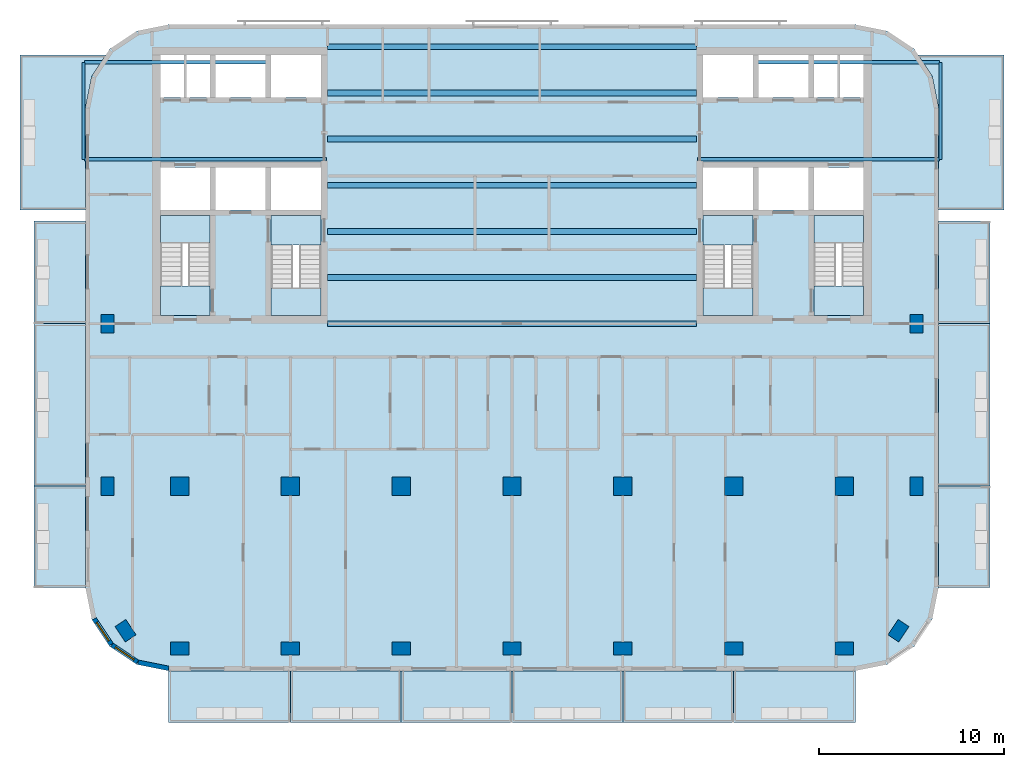
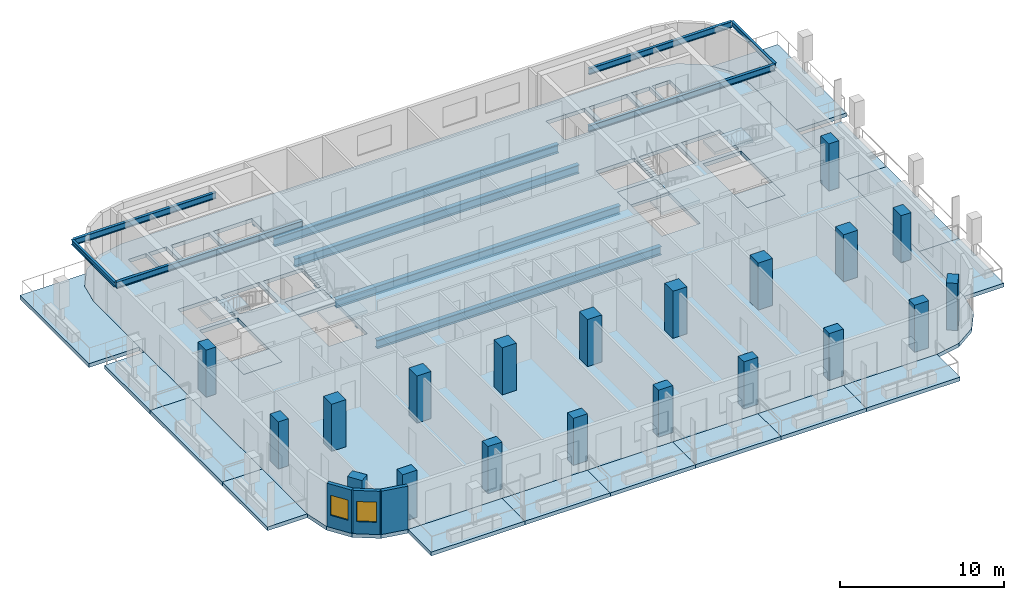
# One storey, part 1 of 11: 23 slabs, 20 columns, 13 beams, 3 walls, 2 windows, 2 openings, 4 elements without a shape of their own.
"""IFC4 building model written with IfcOpenShell, lengths in metres."""

from ifc_helpers import new_model, si_unit, direction, frame, frame_2d, origin, origin_2d, place, context, subcontext, project, spatial, polyline, rectangle, i_section, outline, extrude, material, layer, layer_set, material_profile, profile_set, type_object, element, fill, aggregate, save


model = new_model("IFC4")

# Units and contexts
model_context = context("Model", 3, precision=1e-05, world=origin(), true_north=direction((0.0, 1.0)))
body_context = subcontext(model_context, "Body", "Model", "MODEL_VIEW")
ifc_project = project(units=[si_unit("LENGTHUNIT", "METRE"), si_unit("AREAUNIT", "SQUARE_METRE"), si_unit("VOLUMEUNIT", "CUBIC_METRE"), si_unit("PLANEANGLEUNIT", "RADIAN"), si_unit("MASSUNIT", "GRAM", prefix="KILO")], contexts=[model_context])

# Site, building, storey
site_placement = place(None, origin())
site = spatial("IfcSite", under=ifc_project, at=site_placement, CompositionType="ELEMENT")
building_placement = place(site_placement, origin())
building = spatial("IfcBuilding", under=site, at=building_placement, Name="Torana Hotel and Residences", CompositionType="ELEMENT")
storey_placement = place(building_placement, frame((0.0, 0.0, 284.10009765625)))
storey = spatial("IfcBuildingStorey", under=building, at=storey_placement, Name="L75", CompositionType="ELEMENT", Elevation=284.10009765625)

# Columns
ifc_material_1 = material(Name="Concrete C50/60", Category="concrete")
ifc_material_profile_1 = material_profile(ifc_material_1, rectangle(XDim=1.0, YDim=1.0, at=origin_2d()), Name="RC 1000x1000")
ifc_profile_set_1 = profile_set([ifc_material_profile_1], Name="Concrete C50/60")
column_type_1 = type_object("IfcColumnType", Name="COLUMN RC 1000x1000 C50/60", PredefinedType="COLUMN", material=ifc_profile_set_1)
for number, where, z_axis, x_axis, name in (
    (1, (-18.0, -23.800048828125, 0.0), (0.0, 0.0, 1.0), (1.0, 0.0, 0.0), "Column L75"),
    (2, (-12.0, -23.800048828125, 0.0), (0.0, 0.0, 1.0), (1.0, 0.0, 0.0), "Column L75"),
    (3, (-6.0, -23.800048828125, 0.0), (0.0, 0.0, 1.0), (1.0, 0.0, 0.0), "Column L75"),
    (4, (0.0, -23.800048828125, 0.0), (0.0, 0.0, 1.0), (1.0, 0.0, 0.0), "Column L75"),
    (5, (6.0, -23.800048828125, 0.0), (0.0, 0.0, 1.0), (1.0, 0.0, 0.0), "Column L75"),
    (6, (12.0, -23.800048828125, 0.0), (0.0, 0.0, 1.0), (1.0, 0.0, 0.0), "Column L75"),
    (7, (18.0, -23.800048828125, 0.0), (0.0, 0.0, 1.0), (1.0, 0.0, 0.0), "Column L75"),
):
    element("IfcColumn", number, at=place(storey_placement, frame(where, z_axis=z_axis, x_axis=x_axis)), inside=storey, type_object=column_type_1, Name=name, PredefinedType="COLUMN", context=body_context, shape_type="SweptSolid", body=[
        extrude(rectangle(XDim=1.0, YDim=1.0, at=origin_2d()), origin(), (0.0, 0.0, 1.0), 3.5),
    ])
ifc_material_2 = material(Name="Concrete C50/60", Category="concrete")
ifc_material_profile_2 = material_profile(ifc_material_2, rectangle(XDim=1.0, YDim=0.699951171875, at=origin_2d()), Name="RC 1000x700")
ifc_profile_set_2 = profile_set([ifc_material_profile_2], Name="Concrete C50/60")
column_type_2 = type_object("IfcColumnType", Name="COLUMN RC 1000x700 C50/60", PredefinedType="COLUMN", material=ifc_profile_set_2)
for number, where, z_axis, x_axis, name in (
    (8, (-21.89990234375, -23.800048828125, 0.0), (0.0, 0.0, 1.0), (0.0, 1.0, 0.0), "Column L75"),
    (9, (-21.89990234375, -15.0, 0.0), (0.0, 0.0, 1.0), (0.0, 1.0, 0.0), "Column L75"),
    (10, (-20.93310546875, -31.633056640625, 0.0), (0.0, 0.0, 1.0), (-0.555584744817, 0.831459915646, 0.0), "Column L75"),
    (11, (-18.0, -32.60009765625, 0.0), (0.0, 0.0, 1.0), (1.0, 0.0, 0.0), "Column L75"),
    (12, (-12.0, -32.60009765625, 0.0), (0.0, 0.0, 1.0), (1.0, 0.0, 0.0), "Column L75"),
    (13, (-6.0, -32.60009765625, 0.0), (0.0, 0.0, 1.0), (1.0, 0.0, 0.0), "Column L75"),
    (14, (0.0, -32.60009765625, 0.0), (0.0, 0.0, 1.0), (1.0, 0.0, 0.0), "Column L75"),
    (15, (6.0, -32.60009765625, 0.0), (0.0, 0.0, 1.0), (1.0, 0.0, 0.0), "Column L75"),
    (16, (12.0, -32.60009765625, 0.0), (0.0, 0.0, 1.0), (1.0, 0.0, 0.0), "Column L75"),
    (17, (18.0, -32.60009765625, 0.0), (0.0, 0.0, 1.0), (1.0, 0.0, 0.0), "Column L75"),
    (18, (20.93310546875, -31.633056640625, 0.0), (0.0, 0.0, 1.0), (0.555584744817, 0.831459915646, 0.0), "Column L75"),
    (19, (21.89990234375, -23.800048828125, 0.0), (0.0, 0.0, 1.0), (0.0, 1.0, 0.0), "Column L75"),
    (20, (21.89990234375, -15.0, 0.0), (0.0, 0.0, 1.0), (0.0, 1.0, 0.0), "Column L75"),
):
    element("IfcColumn", number, at=place(storey_placement, frame(where, z_axis=z_axis, x_axis=x_axis)), inside=storey, type_object=column_type_2, Name=name, PredefinedType="COLUMN", context=body_context, shape_type="SweptSolid", body=[
        extrude(rectangle(XDim=1.0, YDim=0.699951171875, at=origin_2d()), origin(), (0.0, 0.0, 1.0), 3.5),
    ])

# Beams
ifc_material_3 = material(Name="Steel S355", Category="steel")
ifc_material_profile_3 = material_profile(ifc_material_3, i_section(OverallWidth=0.19287109375, OverallDepth=0.46728515625, WebThickness=0.011474609375, FlangeThickness=0.01953125, FilletRadius=0.01025390625, at=origin_2d()), Name="457x191x98 UB")
ifc_profile_set_3 = profile_set([ifc_material_profile_3], Name="Steel S355")
beam_type_1 = type_object("IfcBeamType", Name="BALCONY CANTILEVER BEAM 457x191x98 UB", PredefinedType="BEAM", material=ifc_profile_set_3)
beam_1_placement = place(storey_placement, frame((-23.1484375, -6.10009765625, 2.986328125), z_axis=(1.0, 0.0, 0.0), x_axis=(0.0, 1.0, 0.0)))
element("IfcBeam", 21, at=beam_1_placement, inside=storey, type_object=beam_type_1, Name="Balcony cantilever beam", PredefinedType="BEAM", context=body_context, shape_type="SweptSolid", body=[
    extrude(i_section(OverallWidth=0.19287109375, OverallDepth=0.46728515625, WebThickness=0.011474609375, FlangeThickness=0.01953125, FilletRadius=0.01025390625, at=origin_2d()), origin(), (0.0, 0.0, 1.0), 13.098388671875),
])
beam_2_placement = place(storey_placement, frame((-23.1484375, -0.85009765625, 2.986328125), z_axis=(1.0, 0.0, 0.0), x_axis=(0.0, 1.0, 0.0)))
element("IfcBeam", 22, at=beam_2_placement, inside=storey, type_object=beam_type_1, Name="Balcony cantilever beam", PredefinedType="BEAM", context=body_context, shape_type="SweptSolid", body=[
    extrude(i_section(OverallWidth=0.19287109375, OverallDepth=0.46728515625, WebThickness=0.011474609375, FlangeThickness=0.01953125, FilletRadius=0.01025390625, at=origin_2d()), origin(), (0.0, 0.0, 1.0), 10.04833984375),
])
beam_3_placement = place(storey_placement, frame((23.1484375, -6.10009765625, 2.986328125), z_axis=(-1.0, 0.0, 0.0), x_axis=(0.0, -1.0, 0.0)))
element("IfcBeam", 23, at=beam_3_placement, inside=storey, type_object=beam_type_1, Name="Balcony cantilever beam", PredefinedType="BEAM", context=body_context, shape_type="SweptSolid", body=[
    extrude(i_section(OverallWidth=0.19287109375, OverallDepth=0.46728515625, WebThickness=0.011474609375, FlangeThickness=0.01953125, FilletRadius=0.01025390625, at=origin_2d()), origin(), (0.0, 0.0, 1.0), 13.098388671875),
])
beam_4_placement = place(storey_placement, frame((23.1484375, -0.85009765625, 2.986328125), z_axis=(-1.0, 0.0, 0.0), x_axis=(0.0, -1.0, 0.0)))
element("IfcBeam", 24, at=beam_4_placement, inside=storey, type_object=beam_type_1, Name="Balcony cantilever beam", PredefinedType="BEAM", context=body_context, shape_type="SweptSolid", body=[
    extrude(i_section(OverallWidth=0.19287109375, OverallDepth=0.46728515625, WebThickness=0.011474609375, FlangeThickness=0.01953125, FilletRadius=0.01025390625, at=origin_2d()), origin(), (0.0, 0.0, 1.0), 10.04833984375),
])
ifc_material_4 = material(Name="Steel S355", Category="steel")
ifc_material_profile_4 = material_profile(ifc_material_4, i_section(OverallWidth=0.173095703125, OverallDepth=0.36328125, WebThickness=0.009033203125, FlangeThickness=0.015625, FilletRadius=0.01025390625, at=origin_2d()), Name="356x171x67 UB")
ifc_profile_set_4 = profile_set([ifc_material_profile_4], Name="Steel S355")
beam_type_2 = type_object("IfcBeamType", Name="BALCONY TIP BEAM 356x171x67 UB", PredefinedType="BEAM", material=ifc_profile_set_4)
for number, where, z_axis, x_axis, name in (
    (25, (-23.205078125, -6.10009765625, 3.0380859375), (0.0, 1.0, 0.0), (-1.0, 0.0, 0.0), "Balcony tip beam"),
    (26, (23.205078125, -6.10009765625, 3.0380859375), (0.0, 1.0, 0.0), (-1.0, 0.0, 0.0), "Balcony tip beam"),
):
    element("IfcBeam", number, at=place(storey_placement, frame(where, z_axis=z_axis, x_axis=x_axis)), inside=storey, type_object=beam_type_2, Name=name, PredefinedType="BEAM", context=body_context, shape_type="SweptSolid", body=[
        extrude(i_section(OverallWidth=0.173095703125, OverallDepth=0.36328125, WebThickness=0.009033203125, FlangeThickness=0.015625, FilletRadius=0.01025390625, at=origin_2d()), origin(), (0.0, 0.0, 1.0), 5.25),
    ])
ifc_material_5 = material(Name="Steel S355", Category="steel")
ifc_material_profile_5 = material_profile(ifc_material_5, i_section(OverallWidth=0.311279296875, OverallDepth=0.6357421875, WebThickness=0.018310546875, FlangeThickness=0.031494140625, FilletRadius=0.0166015625, at=origin_2d()), Name="610x305x238 UB")
ifc_profile_set_5 = profile_set([ifc_material_profile_5], Name="Steel S355")
beam_type_3 = type_object("IfcBeamType", Name="STEEL GIRDER 610x305x238 UB", PredefinedType="BEAM", material=ifc_profile_set_5)
for number, where, z_axis, x_axis, name in (
    (27, (-10.0, -15.0, -0.597900390625), (1.0, 0.0, 0.0), (0.0, 1.0, 0.0), "Floor girder"),
    (28, (-10.0, -12.5, -0.597900390625), (1.0, 0.0, 0.0), (0.0, 1.0, 0.0), "Floor girder"),
    (29, (-10.0, -10.0, -0.597900390625), (1.0, 0.0, 0.0), (0.0, 1.0, 0.0), "Floor girder"),
    (30, (-10.0, -7.5, -0.597900390625), (1.0, 0.0, 0.0), (0.0, 1.0, 0.0), "Floor girder"),
    (31, (-10.0, -5.0, -0.597900390625), (1.0, 0.0, 0.0), (0.0, 1.0, 0.0), "Floor girder"),
    (32, (-10.0, -2.5, -0.597900390625), (1.0, 0.0, 0.0), (0.0, 1.0, 0.0), "Floor girder"),
    (33, (-10.0, 0.0, -0.597900390625), (1.0, 0.0, 0.0), (0.0, 1.0, 0.0), "Floor girder"),
):
    element("IfcBeam", number, at=place(storey_placement, frame(where, z_axis=z_axis, x_axis=x_axis)), inside=storey, type_object=beam_type_3, Name=name, PredefinedType="BEAM", context=body_context, shape_type="SweptSolid", body=[
        extrude(i_section(OverallWidth=0.311279296875, OverallDepth=0.6357421875, WebThickness=0.018310546875, FlangeThickness=0.031494140625, FilletRadius=0.0166015625, at=origin_2d()), origin(), (0.0, 0.0, 1.0), 20.0),
    ])

# Slabs
ifc_material_6 = material(Name="Concrete C40/50", Category="concrete")
ifc_layer_1 = layer(ifc_material_6, 0.280029296875)
ifc_layer_set_1 = layer_set([ifc_layer_1], Name="BAL1 BALCONY SLAB 280")
slab_type_1 = type_object("IfcSlabType", Name="BAL1 BALCONY SLAB 280", PredefinedType="USERDEFINED", material=ifc_layer_set_1)
slab_1_placement = place(storey_placement, frame((0.0, 0.0, -0.280029296875)))
element("IfcSlab", 34, at=slab_1_placement, inside=storey, type_object=slab_type_1, Name="Balcony 01", ObjectType="BALCONY", PredefinedType="USERDEFINED", context=body_context, shape_type="SweptSolid", body=[
    extrude(outline(polyline([(-18.60009765625, -36.60009765625), (-12.0, -36.60009765625), (-12.0, -33.800048828125), (-18.60009765625, -33.800048828125), (-18.60009765625, -36.60009765625)])), origin(), (0.0, 0.0, 1.0), 0.280029296875),
])
slab_2_placement = place(storey_placement, frame((0.0, 0.0, -0.280029296875)))
element("IfcSlab", 35, at=slab_2_placement, inside=storey, type_object=slab_type_1, Name="Balcony 02", ObjectType="BALCONY", PredefinedType="USERDEFINED", context=body_context, shape_type="SweptSolid", body=[
    extrude(outline(polyline([(-12.0, -36.60009765625), (-6.0, -36.60009765625), (-6.0, -33.800048828125), (-12.0, -33.800048828125), (-12.0, -36.60009765625)])), origin(), (0.0, 0.0, 1.0), 0.280029296875),
])
slab_3_placement = place(storey_placement, frame((0.0, 0.0, -0.280029296875)))
element("IfcSlab", 36, at=slab_3_placement, inside=storey, type_object=slab_type_1, Name="Balcony 03", ObjectType="BALCONY", PredefinedType="USERDEFINED", context=body_context, shape_type="SweptSolid", body=[
    extrude(outline(polyline([(-6.0, -36.60009765625), (0.0, -36.60009765625), (0.0, -33.800048828125), (-6.0, -33.800048828125), (-6.0, -36.60009765625)])), origin(), (0.0, 0.0, 1.0), 0.280029296875),
])
slab_4_placement = place(storey_placement, frame((0.0, 0.0, -0.280029296875)))
element("IfcSlab", 37, at=slab_4_placement, inside=storey, type_object=slab_type_1, Name="Balcony 04", ObjectType="BALCONY", PredefinedType="USERDEFINED", context=body_context, shape_type="SweptSolid", body=[
    extrude(outline(polyline([(0.0, -36.60009765625), (6.0, -36.60009765625), (6.0, -33.800048828125), (0.0, -33.800048828125), (0.0, -36.60009765625)])), origin(), (0.0, 0.0, 1.0), 0.280029296875),
])
slab_5_placement = place(storey_placement, frame((0.0, 0.0, -0.280029296875)))
element("IfcSlab", 38, at=slab_5_placement, inside=storey, type_object=slab_type_1, Name="Balcony 05", ObjectType="BALCONY", PredefinedType="USERDEFINED", context=body_context, shape_type="SweptSolid", body=[
    extrude(outline(polyline([(6.0, -36.60009765625), (12.0, -36.60009765625), (12.0, -33.800048828125), (6.0, -33.800048828125), (6.0, -36.60009765625)])), origin(), (0.0, 0.0, 1.0), 0.280029296875),
])
slab_6_placement = place(storey_placement, frame((0.0, 0.0, -0.280029296875)))
element("IfcSlab", 39, at=slab_6_placement, inside=storey, type_object=slab_type_1, Name="Balcony 06", ObjectType="BALCONY", PredefinedType="USERDEFINED", context=body_context, shape_type="SweptSolid", body=[
    extrude(outline(polyline([(12.0, -36.60009765625), (18.60009765625, -36.60009765625), (18.60009765625, -33.800048828125), (12.0, -33.800048828125), (12.0, -36.60009765625)])), origin(), (0.0, 0.0, 1.0), 0.280029296875),
])
slab_7_placement = place(storey_placement, frame((0.0, 0.0, -0.280029296875)))
element("IfcSlab", 40, at=slab_7_placement, inside=storey, type_object=slab_type_1, Name="Balcony 07", ObjectType="BALCONY", PredefinedType="USERDEFINED", context=body_context, shape_type="SweptSolid", body=[
    extrude(outline(polyline([(-25.89990234375, -29.300048828125), (-23.10009765625, -29.300048828125), (-23.10009765625, -23.800048828125), (-25.89990234375, -23.800048828125), (-25.89990234375, -29.300048828125)])), origin(), (0.0, 0.0, 1.0), 0.280029296875),
])
slab_8_placement = place(storey_placement, frame((0.0, 0.0, -0.280029296875)))
element("IfcSlab", 41, at=slab_8_placement, inside=storey, type_object=slab_type_1, Name="Balcony 08", ObjectType="BALCONY", PredefinedType="USERDEFINED", context=body_context, shape_type="SweptSolid", body=[
    extrude(outline(polyline([(-25.89990234375, -23.800048828125), (-23.10009765625, -23.800048828125), (-23.10009765625, -15.0), (-25.89990234375, -15.0), (-25.89990234375, -23.800048828125)])), origin(), (0.0, 0.0, 1.0), 0.280029296875),
])
slab_9_placement = place(storey_placement, frame((0.0, 0.0, -0.280029296875)))
element("IfcSlab", 42, at=slab_9_placement, inside=storey, type_object=slab_type_1, Name="Balcony 09", ObjectType="BALCONY", PredefinedType="USERDEFINED", context=body_context, shape_type="SweptSolid", body=[
    extrude(outline(polyline([(-25.89990234375, -15.0), (-23.10009765625, -15.0), (-23.10009765625, -9.449951171875), (-25.89990234375, -9.449951171875), (-25.89990234375, -15.0)])), origin(), (0.0, 0.0, 1.0), 0.280029296875),
])
slab_10_placement = place(storey_placement, frame((0.0, 0.0, -0.280029296875)))
element("IfcSlab", 43, at=slab_10_placement, inside=storey, type_object=slab_type_1, Name="Balcony 10", ObjectType="BALCONY", PredefinedType="USERDEFINED", context=body_context, shape_type="SweptSolid", body=[
    extrude(outline(polyline([(-26.64990234375, -8.85009765625), (-23.10009765625, -8.85009765625), (-23.10009765625, -3.300048828125), (-22.757568359375, -1.577880859375), (-22.00390625, -0.449951171875), (-26.64990234375, -0.449951171875), (-26.64990234375, -8.85009765625)])), origin(), (0.0, 0.0, 1.0), 0.280029296875),
])
slab_11_placement = place(storey_placement, frame((0.0, 0.0, -0.280029296875)))
element("IfcSlab", 44, at=slab_11_placement, inside=storey, type_object=slab_type_1, Name="Balcony 11", ObjectType="BALCONY", PredefinedType="USERDEFINED", context=body_context, shape_type="SweptSolid", body=[
    extrude(outline(polyline([(23.10009765625, -29.300048828125), (25.89990234375, -29.300048828125), (25.89990234375, -23.800048828125), (23.10009765625, -23.800048828125), (23.10009765625, -29.300048828125)])), origin(), (0.0, 0.0, 1.0), 0.280029296875),
])
slab_12_placement = place(storey_placement, frame((0.0, 0.0, -0.280029296875)))
element("IfcSlab", 45, at=slab_12_placement, inside=storey, type_object=slab_type_1, Name="Balcony 12", ObjectType="BALCONY", PredefinedType="USERDEFINED", context=body_context, shape_type="SweptSolid", body=[
    extrude(outline(polyline([(23.10009765625, -23.800048828125), (25.89990234375, -23.800048828125), (25.89990234375, -15.0), (23.10009765625, -15.0), (23.10009765625, -23.800048828125)])), origin(), (0.0, 0.0, 1.0), 0.280029296875),
])
slab_13_placement = place(storey_placement, frame((0.0, 0.0, -0.280029296875)))
element("IfcSlab", 46, at=slab_13_placement, inside=storey, type_object=slab_type_1, Name="Balcony 13", ObjectType="BALCONY", PredefinedType="USERDEFINED", context=body_context, shape_type="SweptSolid", body=[
    extrude(outline(polyline([(23.10009765625, -15.0), (25.89990234375, -15.0), (25.89990234375, -9.449951171875), (23.10009765625, -9.449951171875), (23.10009765625, -15.0)])), origin(), (0.0, 0.0, 1.0), 0.280029296875),
])
slab_14_placement = place(storey_placement, frame((0.0, 0.0, -0.280029296875)))
element("IfcSlab", 47, at=slab_14_placement, inside=storey, type_object=slab_type_1, Name="Balcony 14", ObjectType="BALCONY", PredefinedType="USERDEFINED", context=body_context, shape_type="SweptSolid", body=[
    extrude(outline(polyline([(23.10009765625, -8.85009765625), (26.64990234375, -8.85009765625), (26.64990234375, -0.449951171875), (22.00390625, -0.449951171875), (22.757568359375, -1.577880859375), (23.10009765625, -3.300048828125), (23.10009765625, -8.85009765625)])), origin(), (0.0, 0.0, 1.0), 0.280029296875),
])
ifc_material_7 = material(Name="Concrete C40/50", Category="concrete")
ifc_layer_2 = layer(ifc_material_7, 0.280029296875)
ifc_layer_set_2 = layer_set([ifc_layer_2], Name="FLOOR SLAB PT 280")
slab_type_2 = type_object("IfcSlabType", Name="FLOOR SLAB PT 280", PredefinedType="FLOOR", material=ifc_layer_set_2)
slab_15_placement = place(storey_placement, frame((0.0, 0.0, -0.280029296875)))
element("IfcSlab", 48, at=slab_15_placement, inside=storey, type_object=slab_type_2, Name="Floor slab", PredefinedType="FLOOR", context=body_context, shape_type="SweptSolid", body=[
    extrude(outline(polyline([(23.10009765625, -3.300048828125), (22.757568359375, -1.577880859375), (21.781982421875, -0.117919921875), (20.322021484375, 0.857421875), (18.60009765625, 1.199951171875), (-18.60009765625, 1.199951171875), (-20.322021484375, 0.857421875), (-21.781982421875, -0.117919921875), (-22.757568359375, -1.577880859375), (-23.10009765625, -3.300048828125), (-23.10009765625, -29.300048828125), (-22.757568359375, -31.022216796875), (-21.781982421875, -32.48193359375), (-20.322021484375, -33.45751953125), (-18.60009765625, -33.800048828125), (18.60009765625, -33.800048828125), (20.322021484375, -33.45751953125), (21.781982421875, -32.48193359375), (22.757568359375, -31.022216796875), (23.10009765625, -29.300048828125), (23.10009765625, -3.300048828125)]), holes=[polyline([(-13.050048828125, -14.550048828125), (-10.35009765625, -14.550048828125), (-10.35009765625, -9.14990234375), (-13.050048828125, -9.14990234375), (-13.050048828125, -14.550048828125)]), polyline([(-19.050048828125, -14.550048828125), (-16.35009765625, -14.550048828125), (-16.35009765625, -9.14990234375), (-19.050048828125, -9.14990234375), (-19.050048828125, -14.550048828125)]), polyline([(-17.625, -2.75), (-16.35009765625, -2.75), (-16.35009765625, -0.449951171875), (-17.625, -0.449951171875), (-17.625, -2.75)]), polyline([(-19.050048828125, -2.75), (-17.77490234375, -2.75), (-17.77490234375, -0.449951171875), (-19.050048828125, -0.449951171875), (-19.050048828125, -2.75)]), polyline([(-13.050048828125, -2.75), (-10.35009765625, -2.75), (-10.35009765625, -0.449951171875), (-13.050048828125, -0.449951171875), (-13.050048828125, -2.75)]), polyline([(-16.050048828125, -2.75), (-13.35009765625, -2.75), (-13.35009765625, -0.449951171875), (-16.050048828125, -0.449951171875), (-16.050048828125, -2.75)]), polyline([(-13.050048828125, -8.85009765625), (-10.35009765625, -8.85009765625), (-10.35009765625, -6.550048828125), (-13.050048828125, -6.550048828125), (-13.050048828125, -8.85009765625)]), polyline([(-16.050048828125, -8.85009765625), (-13.35009765625, -8.85009765625), (-13.35009765625, -6.550048828125), (-16.050048828125, -6.550048828125), (-16.050048828125, -8.85009765625)]), polyline([(-19.050048828125, -8.85009765625), (-16.35009765625, -8.85009765625), (-16.35009765625, -6.550048828125), (-19.050048828125, -6.550048828125), (-19.050048828125, -8.85009765625)]), polyline([(10.35009765625, -14.550048828125), (13.050048828125, -14.550048828125), (13.050048828125, -9.14990234375), (10.35009765625, -9.14990234375), (10.35009765625, -14.550048828125)]), polyline([(16.35009765625, -14.550048828125), (19.050048828125, -14.550048828125), (19.050048828125, -9.14990234375), (16.35009765625, -9.14990234375), (16.35009765625, -14.550048828125)]), polyline([(16.35009765625, -2.75), (17.625, -2.75), (17.625, -0.449951171875), (16.35009765625, -0.449951171875), (16.35009765625, -2.75)]), polyline([(17.77490234375, -2.75), (19.050048828125, -2.75), (19.050048828125, -0.449951171875), (17.77490234375, -0.449951171875), (17.77490234375, -2.75)]), polyline([(10.35009765625, -2.75), (13.050048828125, -2.75), (13.050048828125, -0.449951171875), (10.35009765625, -0.449951171875), (10.35009765625, -2.75)]), polyline([(13.35009765625, -2.75), (16.050048828125, -2.75), (16.050048828125, -0.449951171875), (13.35009765625, -0.449951171875), (13.35009765625, -2.75)]), polyline([(10.35009765625, -8.85009765625), (13.050048828125, -8.85009765625), (13.050048828125, -6.550048828125), (10.35009765625, -6.550048828125), (10.35009765625, -8.85009765625)]), polyline([(13.35009765625, -8.85009765625), (16.050048828125, -8.85009765625), (16.050048828125, -6.550048828125), (13.35009765625, -6.550048828125), (13.35009765625, -8.85009765625)]), polyline([(16.35009765625, -8.85009765625), (19.050048828125, -8.85009765625), (19.050048828125, -6.550048828125), (16.35009765625, -6.550048828125), (16.35009765625, -8.85009765625)])]), origin(), (0.0, 0.0, 1.0), 0.280029296875),
])

# Stair, slabs
ifc_material_8 = material(Name="Concrete C40/50 precast", Category="concrete")
stair_type_1 = type_object("IfcStairType", Name="STAIR ST1 HALF TURN 1200", PredefinedType="HALF_TURN_STAIR", material=ifc_material_8)
stair_1_placement = place(storey_placement, origin())
stair_1 = element("IfcStair", 49, at=stair_1_placement, inside=storey, type_object=stair_type_1, Name="Stair ST1 L75", PredefinedType="HALF_TURN_STAIR")
ifc_material_9 = material(Name="Concrete C40/50 precast", Category="concrete")
ifc_layer_3 = layer(ifc_material_9, 0.199951171875)
ifc_layer_set_3 = layer_set([ifc_layer_3], Name="STAIR LANDING 200")
slab_type_3 = type_object("IfcSlabType", Name="STAIR LANDING 200", PredefinedType="LANDING", material=ifc_layer_set_3)
slab_16_placement = place(storey_placement, frame((0.0, 0.0, 1.5498046875)))
slab_16 = element("IfcSlab", 50, at=slab_16_placement, type_object=slab_type_3, Name="ST1 landing 1", PredefinedType="LANDING", context=body_context, shape_type="SweptSolid", body=[
    extrude(outline(polyline([(-13.050048828125, -14.550048828125), (-10.35009765625, -14.550048828125), (-10.35009765625, -13.090087890625), (-13.050048828125, -13.090087890625), (-13.050048828125, -14.550048828125)])), origin(), (0.0, 0.0, 1.0), 0.2001953125),
])
slab_17_placement = place(storey_placement, frame((0.0, 0.0, -0.2001953125)))
slab_17 = element("IfcSlab", 51, at=slab_17_placement, type_object=slab_type_3, Name="ST1 landing 2", PredefinedType="LANDING", context=body_context, shape_type="SweptSolid", body=[
    extrude(outline(polyline([(-13.050048828125, -10.75), (-10.35009765625, -10.75), (-10.35009765625, -9.14990234375), (-13.050048828125, -9.14990234375), (-13.050048828125, -10.75)])), origin(), (0.0, 0.0, 1.0), 0.2001953125),
])
aggregate(stair_1, [slab_16, slab_17])

ifc_material_10 = material(Name="Concrete C40/50 precast", Category="concrete")
stair_type_2 = type_object("IfcStairType", Name="STAIR ST2 HALF TURN 1200", PredefinedType="HALF_TURN_STAIR", material=ifc_material_10)
stair_2_placement = place(storey_placement, origin())
stair_2 = element("IfcStair", 52, at=stair_2_placement, inside=storey, type_object=stair_type_2, Name="Stair ST2 L75", PredefinedType="HALF_TURN_STAIR")
slab_18_placement = place(storey_placement, frame((0.0, 0.0, 1.5498046875)))
slab_18 = element("IfcSlab", 53, at=slab_18_placement, type_object=slab_type_3, Name="ST2 landing 1", PredefinedType="LANDING", context=body_context, shape_type="SweptSolid", body=[
    extrude(outline(polyline([(-19.050048828125, -10.610107421875), (-16.35009765625, -10.610107421875), (-16.35009765625, -9.14990234375), (-19.050048828125, -9.14990234375), (-19.050048828125, -10.610107421875)])), origin(), (0.0, 0.0, 1.0), 0.2001953125),
])
slab_19_placement = place(storey_placement, frame((0.0, 0.0, -0.2001953125)))
slab_19 = element("IfcSlab", 54, at=slab_19_placement, type_object=slab_type_3, Name="ST2 landing 2", PredefinedType="LANDING", context=body_context, shape_type="SweptSolid", body=[
    extrude(outline(polyline([(-19.050048828125, -14.550048828125), (-16.35009765625, -14.550048828125), (-16.35009765625, -12.949951171875), (-19.050048828125, -12.949951171875), (-19.050048828125, -14.550048828125)])), origin(), (0.0, 0.0, 1.0), 0.2001953125),
])
aggregate(stair_2, [slab_18, slab_19])

ifc_material_11 = material(Name="Concrete C40/50 precast", Category="concrete")
stair_type_3 = type_object("IfcStairType", Name="STAIR ST3 HALF TURN 1200", PredefinedType="HALF_TURN_STAIR", material=ifc_material_11)
stair_3_placement = place(storey_placement, origin())
stair_3 = element("IfcStair", 55, at=stair_3_placement, inside=storey, type_object=stair_type_3, Name="Stair ST3 L75", PredefinedType="HALF_TURN_STAIR")
slab_20_placement = place(storey_placement, frame((0.0, 0.0, 1.5498046875)))
slab_20 = element("IfcSlab", 56, at=slab_20_placement, type_object=slab_type_3, Name="ST3 landing 1", PredefinedType="LANDING", context=body_context, shape_type="SweptSolid", body=[
    extrude(outline(polyline([(10.35009765625, -14.550048828125), (13.050048828125, -14.550048828125), (13.050048828125, -13.090087890625), (10.35009765625, -13.090087890625), (10.35009765625, -14.550048828125)])), origin(), (0.0, 0.0, 1.0), 0.2001953125),
])
slab_21_placement = place(storey_placement, frame((0.0, 0.0, -0.2001953125)))
slab_21 = element("IfcSlab", 57, at=slab_21_placement, type_object=slab_type_3, Name="ST3 landing 2", PredefinedType="LANDING", context=body_context, shape_type="SweptSolid", body=[
    extrude(outline(polyline([(10.35009765625, -10.75), (13.050048828125, -10.75), (13.050048828125, -9.14990234375), (10.35009765625, -9.14990234375), (10.35009765625, -10.75)])), origin(), (0.0, 0.0, 1.0), 0.2001953125),
])
aggregate(stair_3, [slab_20, slab_21])

ifc_material_12 = material(Name="Concrete C40/50 precast", Category="concrete")
stair_type_4 = type_object("IfcStairType", Name="STAIR ST4 HALF TURN 1200", PredefinedType="HALF_TURN_STAIR", material=ifc_material_12)
stair_4_placement = place(storey_placement, origin())
stair_4 = element("IfcStair", 58, at=stair_4_placement, inside=storey, type_object=stair_type_4, Name="Stair ST4 L75", PredefinedType="HALF_TURN_STAIR")
slab_22_placement = place(storey_placement, frame((0.0, 0.0, 1.5498046875)))
slab_22 = element("IfcSlab", 59, at=slab_22_placement, type_object=slab_type_3, Name="ST4 landing 1", PredefinedType="LANDING", context=body_context, shape_type="SweptSolid", body=[
    extrude(outline(polyline([(16.35009765625, -10.610107421875), (19.050048828125, -10.610107421875), (19.050048828125, -9.14990234375), (16.35009765625, -9.14990234375), (16.35009765625, -10.610107421875)])), origin(), (0.0, 0.0, 1.0), 0.2001953125),
])
slab_23_placement = place(storey_placement, frame((0.0, 0.0, -0.2001953125)))
slab_23 = element("IfcSlab", 60, at=slab_23_placement, type_object=slab_type_3, Name="ST4 landing 2", PredefinedType="LANDING", context=body_context, shape_type="SweptSolid", body=[
    extrude(outline(polyline([(16.35009765625, -14.550048828125), (19.050048828125, -14.550048828125), (19.050048828125, -12.949951171875), (16.35009765625, -12.949951171875), (16.35009765625, -14.550048828125)])), origin(), (0.0, 0.0, 1.0), 0.2001953125),
])
aggregate(stair_4, [slab_22, slab_23])

# Wall, opening, window
ifc_material_13 = material(Name="Black aluminium composite panel", Category="aluminium")
ifc_layer_4 = layer(ifc_material_13, 0.00390625, Name="Cladding", Category="cladding")
ifc_material_14 = material(Name="Ventilated air cavity")
ifc_layer_5 = layer(ifc_material_14, 0.0400390625, Name="Ventilated cavity", Category="cavity")
ifc_material_15 = material(Name="Mineral wool insulation")
ifc_layer_6 = layer(ifc_material_15, 0.090087890625, Name="Insulation", Category="insulation")
ifc_material_16 = material(Name="Steel S280GD", Category="steel")
ifc_layer_7 = layer(ifc_material_16, 0.092041015625, Name="Steel stud frame", Category="structure")
ifc_material_17 = material(Name="Fire rated plasterboard")
ifc_layer_8 = layer(ifc_material_17, 0.011962890625, Name="Inner board", Category="finish")
ifc_layer_9 = layer(ifc_material_17, 0.011962890625, Name="Second board", Category="finish")
ifc_layer_set_4 = layer_set([ifc_layer_4, ifc_layer_5, ifc_layer_6, ifc_layer_7, ifc_layer_8, ifc_layer_9], Name="EW1 EXTERNAL WALL BLACK METAL CLAD 250")
wall_type = type_object("IfcWallType", Name="EW1 EXTERNAL WALL BLACK METAL CLAD 250", PredefinedType="SOLIDWALL", material=ifc_layer_set_4)
wall_1_placement = place(storey_placement, frame((-22.6259765625, -30.993896484375, 0.0), z_axis=(0.0, 0.0, 1.0), x_axis=(0.55555029066, -0.831482937015, 0.0)))
wall_1 = element("IfcWall", 61, at=wall_1_placement, inside=storey, type_object=wall_type, Name="External wall L75 e0.11", PredefinedType="SOLIDWALL", context=body_context, shape_type="SweptSolid", body=[
    extrude(rectangle(XDim=1.65625, YDim=0.25, at=frame_2d((0.828125, 0.0))), origin(), (0.0, 0.0, 1.0), 3.219970703125),
])
opening_1_placement = place(wall_1_placement, frame((0.228271484375, 0.0, 0.89990234375)))
opening_1 = element("IfcOpeningElement", 62, at=opening_1_placement, cuts=wall_1, Name="Opening W5", PredefinedType="OPENING", context=body_context, shape_type="SweptSolid", body=[
    extrude(rectangle(XDim=1.199951171875, YDim=1.5, at=frame_2d((0.60009765625, 0.75))), frame((0.0, 0.135009765625, 0.0), z_axis=(0.0, -1.0, 0.0), x_axis=(1.0, 0.0, 0.0)), (0.0, 0.0, 1.0), 0.27001953125),
])
ifc_material_18 = material(Name="Dark glass in black aluminium frame", Category="aluminium")
window_type = type_object("IfcWindowType", Name="W5 CORNER FACET WINDOW 1200x1500", PartitioningType="SINGLE_PANEL", PredefinedType="WINDOW", material=ifc_material_18)
window_1_placement = place(opening_1_placement, origin())
window_1 = element("IfcWindow", 63, at=window_1_placement, inside=storey, type_object=window_type, Name="Window L75 e0.11", OverallHeight=1.5, OverallWidth=1.199951171875, PartitioningType="SINGLE_PANEL", PredefinedType="WINDOW", context=body_context, shape_type="SweptSolid", body=[
    extrude(rectangle(XDim=1.199951171875, YDim=1.5, at=frame_2d((0.60009765625, 0.75))), frame((0.0, 0.030029296875, 0.0), z_axis=(0.0, -1.0, 0.0), x_axis=(1.0, 0.0, 0.0)), (0.0, 0.0, 1.0), 0.06005859375),
])
fill(opening_1, window_1)

wall_2_placement = place(storey_placement, frame((-21.671142578125, -32.40576171875, 0.0), z_axis=(0.0, 0.0, 1.0), x_axis=(0.831482937015, -0.55555029066, 0.0)))
wall_2 = element("IfcWall", 64, at=wall_2_placement, inside=storey, type_object=wall_type, Name="External wall L75 e0.12", PredefinedType="SOLIDWALL", context=body_context, shape_type="SweptSolid", body=[
    extrude(rectangle(XDim=1.65625, YDim=0.25, at=frame_2d((0.828125, 0.0))), origin(), (0.0, 0.0, 1.0), 3.219970703125),
])
opening_2_placement = place(wall_2_placement, frame((0.228271484375, 0.0, 0.89990234375)))
opening_2 = element("IfcOpeningElement", 65, at=opening_2_placement, cuts=wall_2, Name="Opening W5", PredefinedType="OPENING", context=body_context, shape_type="SweptSolid", body=[
    extrude(rectangle(XDim=1.199951171875, YDim=1.5, at=frame_2d((0.60009765625, 0.75))), frame((0.0, 0.135009765625, 0.0), z_axis=(0.0, -1.0, 0.0), x_axis=(1.0, 0.0, 0.0)), (0.0, 0.0, 1.0), 0.27001953125),
])
window_2_placement = place(opening_2_placement, origin())
window_2 = element("IfcWindow", 66, at=window_2_placement, inside=storey, type_object=window_type, Name="Window L75 e0.12", OverallHeight=1.5, OverallWidth=1.199951171875, PartitioningType="SINGLE_PANEL", PredefinedType="WINDOW", context=body_context, shape_type="SweptSolid", body=[
    extrude(rectangle(XDim=1.199951171875, YDim=1.5, at=frame_2d((0.60009765625, 0.75))), frame((0.0, 0.030029296875, 0.0), z_axis=(0.0, -1.0, 0.0), x_axis=(1.0, 0.0, 0.0)), (0.0, 0.0, 1.0), 0.06005859375),
])
fill(opening_2, window_2)

# Wall
wall_3_placement = place(storey_placement, frame((-20.248779296875, -33.344482421875, 0.0), z_axis=(0.0, 0.0, 1.0), x_axis=(0.980770110232, -0.195166572128, 0.0)))
element("IfcWall", 67, at=wall_3_placement, inside=storey, type_object=wall_type, Name="External wall L75 e0.13", PredefinedType="SOLIDWALL", context=body_context, shape_type="SweptSolid", body=[
    extrude(rectangle(XDim=1.68115234375, YDim=0.25, at=frame_2d((0.840576171875, 0.0))), origin(), (0.0, 0.0, 1.0), 3.219970703125),
])

save(model, "model.ifc")
